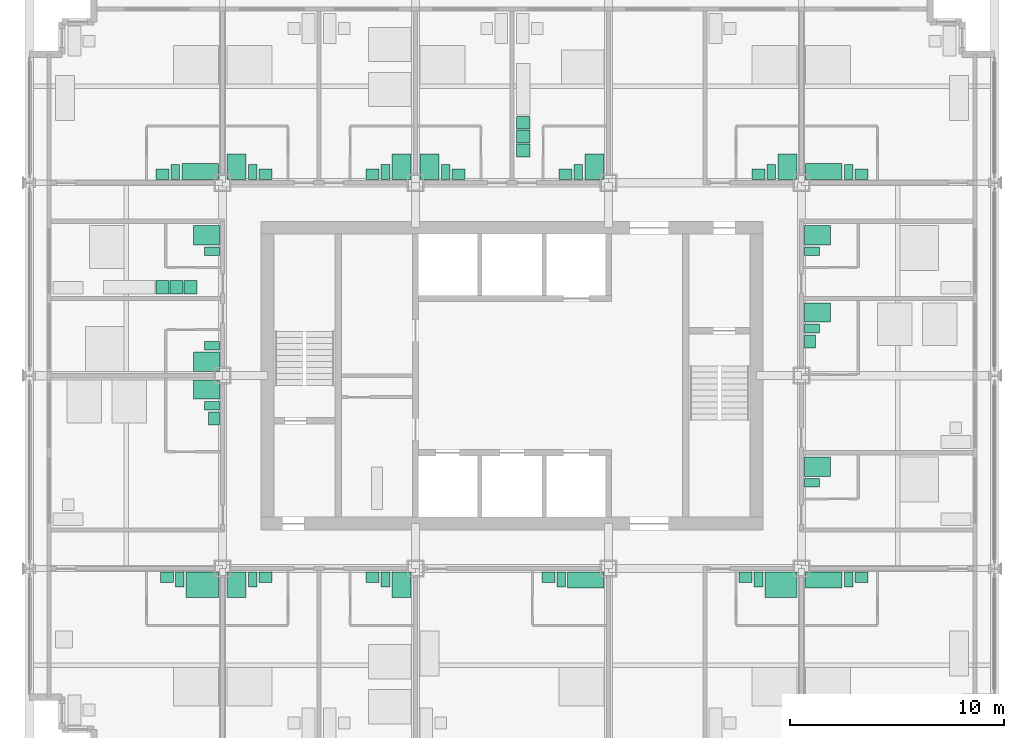
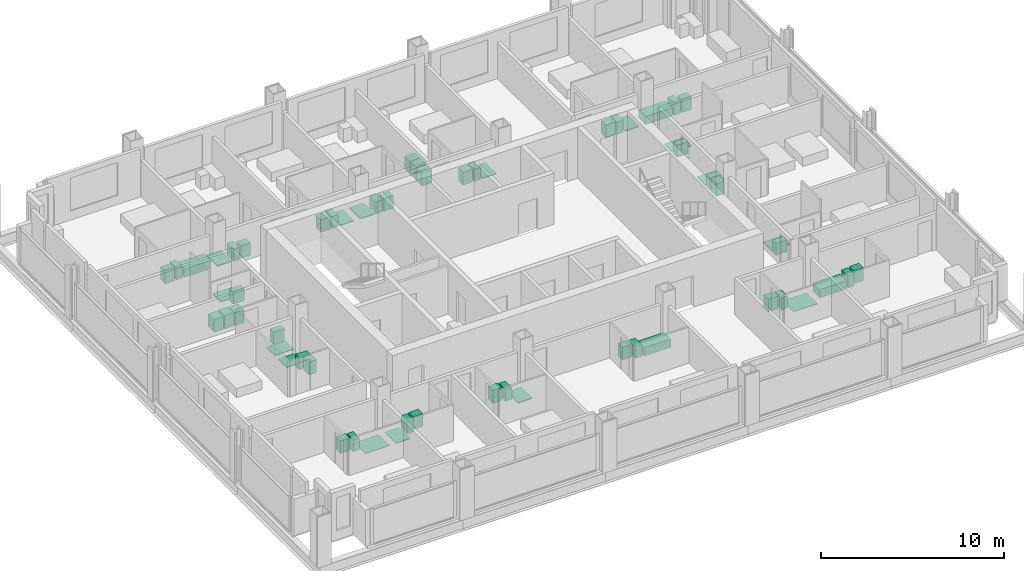
# One storey, part 16 of 17: 53 sanitary terminals, 6 electric appliances.
"""IFC4 building model written with IfcOpenShell, lengths in metres."""

import ifcopenshell
import ifcopenshell.guid

model = None  # the IFC model being written
_history = None  # IfcOwnerHistory: only IFC2X3 demands one
_inside = {}  # id of a spatial element -> (the spatial element, [elements in it])
_under = {}  # id of a project, library or spatial element -> (it, [spatial elements below it])
_declared = {}  # id of a project -> (the project, [libraries it declares])
_typed = {}  # id of a type object -> (the type object, [elements of that type])
_made_of = {}  # id of a material, layer set ... -> (it, [elements and type objects made of it])


def new_model(schema):
    """Start an empty IFC model of exactly this schema.

    Asked for "IFC4X3", IfcOpenShell would pick the latest addendum, in which some entities
    have other attributes; the version numbers below select the first issue.
    IFC2X3 requires an IfcOwnerHistory on every rooted entity: one is made here for all.
    """
    global model, _history
    if schema == "IFC4X3":
        model = ifcopenshell.file(schema_version=(4, 3, 0, 0))
    else:
        model = ifcopenshell.file(schema=schema)
    _inside.clear()
    _under.clear()
    _declared.clear()
    _typed.clear()
    _made_of.clear()
    _history = None
    if model.schema == "IFC2X3":
        org = make("IfcOrganization", Name="unknown")
        user = make(
            "IfcPersonAndOrganization",
            ThePerson=make("IfcPerson", FamilyName="unknown"),
            TheOrganization=org,
        )
        app = make(
            "IfcApplication",
            ApplicationDeveloper=org,
            Version="unknown",
            ApplicationFullName="unknown",
            ApplicationIdentifier="unknown",
        )
        _history = make(
            "IfcOwnerHistory",
            OwningUser=user,
            OwningApplication=app,
            ChangeAction="ADDED",
            CreationDate=0,
        )
    return model


def make(cls, **values):
    """One entity of the class cls with the attributes given. An attribute that is None is left unset."""
    return model.create_entity(
        cls, **{name: value for name, value in values.items() if value is not None}
    )


def rooted(cls, **values):
    """An entity with a GlobalId (a new one), such as an element, a storey or a relation."""
    return make(cls, GlobalId=ifcopenshell.guid.new(), OwnerHistory=_history, **values)


def si_unit(unit_type, name, prefix=None):
    """IfcSIUnit, for example si_unit("LENGTHUNIT", "METRE", prefix="MILLI")."""
    return make("IfcSIUnit", UnitType=unit_type, Prefix=prefix, Name=name)


def assignment(units):
    """IfcUnitAssignment: the units of a project."""
    return None if units is None else make("IfcUnitAssignment", Units=units)


def point(xyz):
    """IfcCartesianPoint."""
    return None if xyz is None else make("IfcCartesianPoint", Coordinates=xyz)


def direction(xyz):
    """IfcDirection."""
    return None if xyz is None else make("IfcDirection", DirectionRatios=xyz)


def frame(location, z_axis=None, x_axis=None):
    """IfcAxis2Placement3D, a coordinate frame: its origin and axes. An axis left out is left unset."""
    return make(
        "IfcAxis2Placement3D",
        Location=point(location),
        Axis=direction(z_axis),
        RefDirection=direction(x_axis),
    )


def frame_2d(location, x_axis=None):
    """IfcAxis2Placement2D, a coordinate frame in the plane: its origin and x axis."""
    return make(
        "IfcAxis2Placement2D", Location=point(location), RefDirection=direction(x_axis)
    )


def origin():
    """The frame at (0, 0, 0) with its axes left unset."""
    return frame((0.0, 0.0, 0.0))


def origin_2d():
    """The frame at (0, 0) in the plane with its x axis left unset."""
    return frame_2d((0.0, 0.0))


def place(relative_to, where):
    """IfcLocalPlacement: puts the frame where relative to a parent placement (None: the world)."""
    return make(
        "IfcLocalPlacement", PlacementRelTo=relative_to, RelativePlacement=where
    )


def context(
    kind, dimensions, precision=None, world=None, true_north=None, identifier=None
):
    """IfcGeometricRepresentationContext, for example the 3D "Model" context."""
    return make(
        "IfcGeometricRepresentationContext",
        ContextIdentifier=identifier,
        ContextType=kind,
        CoordinateSpaceDimension=dimensions,
        Precision=precision,
        WorldCoordinateSystem=world,
        TrueNorth=true_north,
    )


def subcontext(parent, identifier, kind, view, scale=None):
    """IfcGeometricRepresentationSubContext, for example "Body" below "Model"."""
    return make(
        "IfcGeometricRepresentationSubContext",
        ContextIdentifier=identifier,
        ContextType=kind,
        ParentContext=parent,
        TargetScale=scale,
        TargetView=view,
    )


def project(units=None, contexts=None):
    """IfcProject with its units and contexts."""
    return rooted(
        "IfcProject",
        Name="project",
        RepresentationContexts=contexts,
        UnitsInContext=assignment(units),
    )


def spatial(cls, under=None, at=None, **own):
    """A site, building, storey or space (cls), placed at a placement, below another one or the project."""
    s = rooted(cls, ObjectPlacement=at, **own)
    if under is not None:
        _under.setdefault(under.id(), (under, []))[1].append(s)
    return s


def profile(cls, at=None, kind="AREA", **sizes):
    """A parametric profile (cls). Its sizes go by their IFC names, for example OverallWidth=200.0."""
    return make(cls, ProfileType=kind, Position=at, **sizes)


def rectangle(**sizes):
    """IfcRectangleProfileDef."""
    return profile("IfcRectangleProfileDef", **sizes)


def extrude(swept, where, along, depth):
    """IfcExtrudedAreaSolid: the profile swept, set in the frame where, extruded along a direction by depth."""
    return make(
        "IfcExtrudedAreaSolid",
        SweptArea=swept,
        Position=where,
        ExtrudedDirection=direction(along),
        Depth=depth,
    )


def shape(context_of_items, identifier, shape_type, items):
    """IfcShapeRepresentation: the items that make up one representation, for example the "Body"."""
    return make(
        "IfcShapeRepresentation",
        ContextOfItems=context_of_items,
        RepresentationIdentifier=identifier,
        RepresentationType=shape_type,
        Items=items,
    )


def made_of(thing, what):
    """Note that an element or type object is made of a material, layer set ...; save() writes the relation."""
    if what is not None:
        _made_of.setdefault(what.id(), (what, []))[1].append(thing)
    return thing


def element(
    cls,
    number,
    at=None,
    inside=None,
    cuts=None,
    type_object=None,
    material=None,
    context=None,
    identifier="Body",
    shape_type=None,
    held_by="IfcProductDefinitionShape",
    body=None,
    shapes=None,
    **own,
):
    """One element of the class cls, such as IfcWall. Its Tag is "e" and its number.

    at: its placement. inside: the storey or other place that contains it. cuts: it is an
    opening in that element (IfcRelVoidsElement). A single representation is given by context,
    identifier, shape_type and body (its items); several are given by shapes. held_by: the class
    of the entity that holds the representations. save() writes the other relations.
    """
    e = rooted(cls, Tag="e%d" % number, ObjectPlacement=at, **own)
    if body is not None:
        shapes = [shape(context, identifier, shape_type, body)]
    if shapes is not None:
        e.Representation = make(held_by, Representations=shapes)
    if inside is not None:
        _inside.setdefault(inside.id(), (inside, []))[1].append(e)
    if cuts is not None:
        rooted(
            "IfcRelVoidsElement", RelatingBuildingElement=cuts, RelatedOpeningElement=e
        )
    if type_object is not None:
        _typed.setdefault(type_object.id(), (type_object, []))[1].append(e)
    return made_of(e, material)


def aggregate(whole, parts):
    """IfcRelAggregates: a whole, such as a stair, and the parts it consists of."""
    return rooted("IfcRelAggregates", RelatingObject=whole, RelatedObjects=parts)


def save(model, path):
    """Write the relations noted so far, then the file.

    IfcRelAggregates (storeys below a building ...), IfcRelContainedInSpatialStructure (elements
    in a storey), IfcRelDefinesByType, IfcRelAssociatesMaterial and IfcRelDeclares: one each for
    every whole, place, type object, material and project.
    """
    for whole, parts in _under.values():
        aggregate(whole, parts)
    for where, things in _inside.values():
        rooted(
            "IfcRelContainedInSpatialStructure",
            RelatedElements=things,
            RelatingStructure=where,
        )
    for kind, things in _typed.values():
        rooted("IfcRelDefinesByType", RelatedObjects=things, RelatingType=kind)
    for what, things in _made_of.values():
        rooted("IfcRelAssociatesMaterial", RelatedObjects=things, RelatingMaterial=what)
    for by, libraries in _declared.values():
        rooted("IfcRelDeclares", RelatingContext=by, RelatedDefinitions=libraries)
    model.write(path)


model = new_model("IFC4")

# Units and contexts
model_context = context("Model", 3, precision=1e-05, world=origin(), true_north=direction((0.0, 1.0)))
body_context = subcontext(model_context, "Body", "Model", "MODEL_VIEW")
ifc_project = project(units=[si_unit("LENGTHUNIT", "METRE"), si_unit("AREAUNIT", "SQUARE_METRE"), si_unit("VOLUMEUNIT", "CUBIC_METRE"), si_unit("PLANEANGLEUNIT", "RADIAN"), si_unit("MASSUNIT", "GRAM", prefix="KILO")], contexts=[model_context])

# Site, building, storey
site_placement = place(None, origin())
site = spatial("IfcSite", under=ifc_project, at=site_placement, CompositionType="ELEMENT")
building_placement = place(site_placement, origin())
building = spatial("IfcBuilding", under=site, at=building_placement, Name="Loomwork Tower", CompositionType="ELEMENT")
storey_placement = place(building_placement, frame((0.0, 0.0, 141.800048828125)))
storey = spatial("IfcBuildingStorey", under=building, at=storey_placement, Name="L38", CompositionType="ELEMENT", Elevation=141.800048828125)

# Sanitary terminals
sanitary_terminal_1_placement = place(storey_placement, frame((8.050048828125, 8.25, 0.0), z_axis=(0.0, 0.0, 1.0), x_axis=(1.0, 0.0, 0.0)))
element("IfcSanitaryTerminal", 1, at=sanitary_terminal_1_placement, inside=storey, Name="Roll-in shower floor L38", PredefinedType="SHOWER", context=body_context, shape_type="SweptSolid", body=[
    extrude(rectangle(XDim=1.5, YDim=1.199951171875, at=origin_2d()), origin(), (0.0, 0.0, 1.0), 0.030029296875),
])
sanitary_terminal_2_placement = place(storey_placement, frame((7.0, 8.5, 0.0), z_axis=(0.0, 0.0, 1.0), x_axis=(1.0, 0.0, 0.0)))
element("IfcSanitaryTerminal", 2, at=sanitary_terminal_2_placement, inside=storey, Name="WC L38", PredefinedType="TOILETPAN", context=body_context, shape_type="SweptSolid", body=[
    extrude(rectangle(XDim=0.39990234375, YDim=0.699951171875, at=origin_2d()), origin(), (0.0, 0.0, 1.0), 0.800048828125),
])
sanitary_terminal_3_placement = place(storey_placement, frame((6.39990234375, 8.60009765625, 0.0), z_axis=(0.0, 0.0, 1.0), x_axis=(1.0, 0.0, 0.0)))
element("IfcSanitaryTerminal", 3, at=sanitary_terminal_3_placement, inside=storey, Name="Basin vanity L38", PredefinedType="WASHHANDBASIN", context=body_context, shape_type="SweptSolid", body=[
    extrude(rectangle(XDim=0.60009765625, YDim=0.5, at=origin_2d()), origin(), (0.0, 0.0, 1.0), 0.85009765625),
])
sanitary_terminal_4_placement = place(storey_placement, frame((9.64990234375, 8.25, 0.0), z_axis=(0.0, 0.0, 1.0), x_axis=(1.0, 0.0, 0.0)))
element("IfcSanitaryTerminal", 4, at=sanitary_terminal_4_placement, inside=storey, Name="Shower tray L38", PredefinedType="SHOWER", context=body_context, shape_type="SweptSolid", body=[
    extrude(rectangle(XDim=0.89990234375, YDim=1.199951171875, at=origin_2d()), origin(), (0.0, 0.0, 1.0), 0.050048828125),
])
sanitary_terminal_5_placement = place(storey_placement, frame((10.39990234375, 8.5, 0.0), z_axis=(0.0, 0.0, 1.0), x_axis=(1.0, 0.0, 0.0)))
element("IfcSanitaryTerminal", 5, at=sanitary_terminal_5_placement, inside=storey, Name="WC L38", PredefinedType="TOILETPAN", context=body_context, shape_type="SweptSolid", body=[
    extrude(rectangle(XDim=0.39990234375, YDim=0.699951171875, at=origin_2d()), origin(), (0.0, 0.0, 1.0), 0.800048828125),
])
sanitary_terminal_6_placement = place(storey_placement, frame((11.0, 8.60009765625, 0.0), z_axis=(0.0, 0.0, 1.0), x_axis=(1.0, 0.0, 0.0)))
element("IfcSanitaryTerminal", 6, at=sanitary_terminal_6_placement, inside=storey, Name="Basin vanity L38", PredefinedType="WASHHANDBASIN", context=body_context, shape_type="SweptSolid", body=[
    extrude(rectangle(XDim=0.60009765625, YDim=0.5, at=origin_2d()), origin(), (0.0, 0.0, 1.0), 0.85009765625),
])
sanitary_terminal_7_placement = place(storey_placement, frame((17.35009765625, 8.25, 0.0), z_axis=(0.0, 0.0, 1.0), x_axis=(1.0, 0.0, 0.0)))
element("IfcSanitaryTerminal", 7, at=sanitary_terminal_7_placement, inside=storey, Name="Shower tray L38", PredefinedType="SHOWER", context=body_context, shape_type="SweptSolid", body=[
    extrude(rectangle(XDim=0.89990234375, YDim=1.199951171875, at=origin_2d()), origin(), (0.0, 0.0, 1.0), 0.050048828125),
])
sanitary_terminal_8_placement = place(storey_placement, frame((16.60009765625, 8.5, 0.0), z_axis=(0.0, 0.0, 1.0), x_axis=(1.0, 0.0, 0.0)))
element("IfcSanitaryTerminal", 8, at=sanitary_terminal_8_placement, inside=storey, Name="WC L38", PredefinedType="TOILETPAN", context=body_context, shape_type="SweptSolid", body=[
    extrude(rectangle(XDim=0.39990234375, YDim=0.699951171875, at=origin_2d()), origin(), (0.0, 0.0, 1.0), 0.800048828125),
])
sanitary_terminal_9_placement = place(storey_placement, frame((16.0, 8.60009765625, 0.0), z_axis=(0.0, 0.0, 1.0), x_axis=(1.0, 0.0, 0.0)))
element("IfcSanitaryTerminal", 9, at=sanitary_terminal_9_placement, inside=storey, Name="Basin vanity L38", PredefinedType="WASHHANDBASIN", context=body_context, shape_type="SweptSolid", body=[
    extrude(rectangle(XDim=0.60009765625, YDim=0.5, at=origin_2d()), origin(), (0.0, 0.0, 1.0), 0.85009765625),
])
sanitary_terminal_10_placement = place(storey_placement, frame((25.949951171875, 8.47509765625, 0.0), z_axis=(0.0, 0.0, 1.0), x_axis=(1.0, 0.0, 0.0)))
element("IfcSanitaryTerminal", 10, at=sanitary_terminal_10_placement, inside=storey, Name="Bath L38", PredefinedType="BATH", context=body_context, shape_type="SweptSolid", body=[
    extrude(rectangle(XDim=1.699951171875, YDim=0.75, at=origin_2d()), origin(), (0.0, 0.0, 1.0), 0.550048828125),
])
sanitary_terminal_11_placement = place(storey_placement, frame((24.800048828125, 8.5, 0.0), z_axis=(0.0, 0.0, 1.0), x_axis=(1.0, 0.0, 0.0)))
element("IfcSanitaryTerminal", 11, at=sanitary_terminal_11_placement, inside=storey, Name="WC L38", PredefinedType="TOILETPAN", context=body_context, shape_type="SweptSolid", body=[
    extrude(rectangle(XDim=0.39990234375, YDim=0.699951171875, at=origin_2d()), origin(), (0.0, 0.0, 1.0), 0.800048828125),
])
sanitary_terminal_12_placement = place(storey_placement, frame((24.199951171875, 8.60009765625, 0.0), z_axis=(0.0, 0.0, 1.0), x_axis=(1.0, 0.0, 0.0)))
element("IfcSanitaryTerminal", 12, at=sanitary_terminal_12_placement, inside=storey, Name="Basin vanity L38", PredefinedType="WASHHANDBASIN", context=body_context, shape_type="SweptSolid", body=[
    extrude(rectangle(XDim=0.60009765625, YDim=0.5, at=origin_2d()), origin(), (0.0, 0.0, 1.0), 0.85009765625),
])
sanitary_terminal_13_placement = place(storey_placement, frame((35.050048828125, 8.25, 0.0), z_axis=(0.0, 0.0, 1.0), x_axis=(1.0, 0.0, 0.0)))
element("IfcSanitaryTerminal", 13, at=sanitary_terminal_13_placement, inside=storey, Name="Roll-in shower floor L38", PredefinedType="SHOWER", context=body_context, shape_type="SweptSolid", body=[
    extrude(rectangle(XDim=1.5, YDim=1.199951171875, at=origin_2d()), origin(), (0.0, 0.0, 1.0), 0.030029296875),
])
sanitary_terminal_14_placement = place(storey_placement, frame((34.0, 8.5, 0.0), z_axis=(0.0, 0.0, 1.0), x_axis=(1.0, 0.0, 0.0)))
element("IfcSanitaryTerminal", 14, at=sanitary_terminal_14_placement, inside=storey, Name="WC L38", PredefinedType="TOILETPAN", context=body_context, shape_type="SweptSolid", body=[
    extrude(rectangle(XDim=0.39990234375, YDim=0.699951171875, at=origin_2d()), origin(), (0.0, 0.0, 1.0), 0.800048828125),
])
sanitary_terminal_15_placement = place(storey_placement, frame((33.39990234375, 8.60009765625, 0.0), z_axis=(0.0, 0.0, 1.0), x_axis=(1.0, 0.0, 0.0)))
element("IfcSanitaryTerminal", 15, at=sanitary_terminal_15_placement, inside=storey, Name="Basin vanity L38", PredefinedType="WASHHANDBASIN", context=body_context, shape_type="SweptSolid", body=[
    extrude(rectangle(XDim=0.60009765625, YDim=0.5, at=origin_2d()), origin(), (0.0, 0.0, 1.0), 0.85009765625),
])
sanitary_terminal_16_placement = place(storey_placement, frame((37.050048828125, 8.47509765625, 0.0), z_axis=(0.0, 0.0, 1.0), x_axis=(1.0, 0.0, 0.0)))
element("IfcSanitaryTerminal", 16, at=sanitary_terminal_16_placement, inside=storey, Name="Bath L38", PredefinedType="BATH", context=body_context, shape_type="SweptSolid", body=[
    extrude(rectangle(XDim=1.699951171875, YDim=0.75, at=origin_2d()), origin(), (0.0, 0.0, 1.0), 0.550048828125),
])
sanitary_terminal_17_placement = place(storey_placement, frame((38.199951171875, 8.5, 0.0), z_axis=(0.0, 0.0, 1.0), x_axis=(1.0, 0.0, 0.0)))
element("IfcSanitaryTerminal", 17, at=sanitary_terminal_17_placement, inside=storey, Name="WC L38", PredefinedType="TOILETPAN", context=body_context, shape_type="SweptSolid", body=[
    extrude(rectangle(XDim=0.39990234375, YDim=0.699951171875, at=origin_2d()), origin(), (0.0, 0.0, 1.0), 0.800048828125),
])
sanitary_terminal_18_placement = place(storey_placement, frame((38.800048828125, 8.60009765625, 0.0), z_axis=(0.0, 0.0, 1.0), x_axis=(1.0, 0.0, 0.0)))
element("IfcSanitaryTerminal", 18, at=sanitary_terminal_18_placement, inside=storey, Name="Basin vanity L38", PredefinedType="WASHHANDBASIN", context=body_context, shape_type="SweptSolid", body=[
    extrude(rectangle(XDim=0.60009765625, YDim=0.5, at=origin_2d()), origin(), (0.0, 0.0, 1.0), 0.85009765625),
])
sanitary_terminal_19_placement = place(storey_placement, frame((7.949951171875, 27.52490234375, 0.0), z_axis=(0.0, 0.0, 1.0), x_axis=(1.0, 0.0, 0.0)))
element("IfcSanitaryTerminal", 19, at=sanitary_terminal_19_placement, inside=storey, Name="Bath L38", PredefinedType="BATH", context=body_context, shape_type="SweptSolid", body=[
    extrude(rectangle(XDim=1.699951171875, YDim=0.75, at=origin_2d()), origin(), (0.0, 0.0, 1.0), 0.550048828125),
])
sanitary_terminal_20_placement = place(storey_placement, frame((6.800048828125, 27.5, 0.0), z_axis=(0.0, 0.0, 1.0), x_axis=(1.0, 0.0, 0.0)))
element("IfcSanitaryTerminal", 20, at=sanitary_terminal_20_placement, inside=storey, Name="WC L38", PredefinedType="TOILETPAN", context=body_context, shape_type="SweptSolid", body=[
    extrude(rectangle(XDim=0.39990234375, YDim=0.699951171875, at=origin_2d()), origin(), (0.0, 0.0, 1.0), 0.800048828125),
])
sanitary_terminal_21_placement = place(storey_placement, frame((6.199951171875, 27.39990234375, 0.0), z_axis=(0.0, 0.0, 1.0), x_axis=(1.0, 0.0, 0.0)))
element("IfcSanitaryTerminal", 21, at=sanitary_terminal_21_placement, inside=storey, Name="Basin vanity L38", PredefinedType="WASHHANDBASIN", context=body_context, shape_type="SweptSolid", body=[
    extrude(rectangle(XDim=0.60009765625, YDim=0.5, at=origin_2d()), origin(), (0.0, 0.0, 1.0), 0.85009765625),
])
sanitary_terminal_22_placement = place(storey_placement, frame((9.64990234375, 27.75, 0.0), z_axis=(0.0, 0.0, 1.0), x_axis=(1.0, 0.0, 0.0)))
element("IfcSanitaryTerminal", 22, at=sanitary_terminal_22_placement, inside=storey, Name="Shower tray L38", PredefinedType="SHOWER", context=body_context, shape_type="SweptSolid", body=[
    extrude(rectangle(XDim=0.89990234375, YDim=1.199951171875, at=origin_2d()), origin(), (0.0, 0.0, 1.0), 0.050048828125),
])
sanitary_terminal_23_placement = place(storey_placement, frame((10.39990234375, 27.5, 0.0), z_axis=(0.0, 0.0, 1.0), x_axis=(1.0, 0.0, 0.0)))
element("IfcSanitaryTerminal", 23, at=sanitary_terminal_23_placement, inside=storey, Name="WC L38", PredefinedType="TOILETPAN", context=body_context, shape_type="SweptSolid", body=[
    extrude(rectangle(XDim=0.39990234375, YDim=0.699951171875, at=origin_2d()), origin(), (0.0, 0.0, 1.0), 0.800048828125),
])
sanitary_terminal_24_placement = place(storey_placement, frame((11.0, 27.39990234375, 0.0), z_axis=(0.0, 0.0, 1.0), x_axis=(1.0, 0.0, 0.0)))
element("IfcSanitaryTerminal", 24, at=sanitary_terminal_24_placement, inside=storey, Name="Basin vanity L38", PredefinedType="WASHHANDBASIN", context=body_context, shape_type="SweptSolid", body=[
    extrude(rectangle(XDim=0.60009765625, YDim=0.5, at=origin_2d()), origin(), (0.0, 0.0, 1.0), 0.85009765625),
])
sanitary_terminal_25_placement = place(storey_placement, frame((17.35009765625, 27.75, 0.0), z_axis=(0.0, 0.0, 1.0), x_axis=(1.0, 0.0, 0.0)))
element("IfcSanitaryTerminal", 25, at=sanitary_terminal_25_placement, inside=storey, Name="Shower tray L38", PredefinedType="SHOWER", context=body_context, shape_type="SweptSolid", body=[
    extrude(rectangle(XDim=0.89990234375, YDim=1.199951171875, at=origin_2d()), origin(), (0.0, 0.0, 1.0), 0.050048828125),
])
sanitary_terminal_26_placement = place(storey_placement, frame((16.60009765625, 27.5, 0.0), z_axis=(0.0, 0.0, 1.0), x_axis=(1.0, 0.0, 0.0)))
element("IfcSanitaryTerminal", 26, at=sanitary_terminal_26_placement, inside=storey, Name="WC L38", PredefinedType="TOILETPAN", context=body_context, shape_type="SweptSolid", body=[
    extrude(rectangle(XDim=0.39990234375, YDim=0.699951171875, at=origin_2d()), origin(), (0.0, 0.0, 1.0), 0.800048828125),
])
sanitary_terminal_27_placement = place(storey_placement, frame((16.0, 27.39990234375, 0.0), z_axis=(0.0, 0.0, 1.0), x_axis=(1.0, 0.0, 0.0)))
element("IfcSanitaryTerminal", 27, at=sanitary_terminal_27_placement, inside=storey, Name="Basin vanity L38", PredefinedType="WASHHANDBASIN", context=body_context, shape_type="SweptSolid", body=[
    extrude(rectangle(XDim=0.60009765625, YDim=0.5, at=origin_2d()), origin(), (0.0, 0.0, 1.0), 0.85009765625),
])
sanitary_terminal_28_placement = place(storey_placement, frame((18.64990234375, 27.75, 0.0), z_axis=(0.0, 0.0, 1.0), x_axis=(1.0, 0.0, 0.0)))
element("IfcSanitaryTerminal", 28, at=sanitary_terminal_28_placement, inside=storey, Name="Shower tray L38", PredefinedType="SHOWER", context=body_context, shape_type="SweptSolid", body=[
    extrude(rectangle(XDim=0.89990234375, YDim=1.199951171875, at=origin_2d()), origin(), (0.0, 0.0, 1.0), 0.050048828125),
])
sanitary_terminal_29_placement = place(storey_placement, frame((19.39990234375, 27.5, 0.0), z_axis=(0.0, 0.0, 1.0), x_axis=(1.0, 0.0, 0.0)))
element("IfcSanitaryTerminal", 29, at=sanitary_terminal_29_placement, inside=storey, Name="WC L38", PredefinedType="TOILETPAN", context=body_context, shape_type="SweptSolid", body=[
    extrude(rectangle(XDim=0.39990234375, YDim=0.699951171875, at=origin_2d()), origin(), (0.0, 0.0, 1.0), 0.800048828125),
])
sanitary_terminal_30_placement = place(storey_placement, frame((20.0, 27.39990234375, 0.0), z_axis=(0.0, 0.0, 1.0), x_axis=(1.0, 0.0, 0.0)))
element("IfcSanitaryTerminal", 30, at=sanitary_terminal_30_placement, inside=storey, Name="Basin vanity L38", PredefinedType="WASHHANDBASIN", context=body_context, shape_type="SweptSolid", body=[
    extrude(rectangle(XDim=0.60009765625, YDim=0.5, at=origin_2d()), origin(), (0.0, 0.0, 1.0), 0.85009765625),
])
sanitary_terminal_31_placement = place(storey_placement, frame((26.35009765625, 27.75, 0.0), z_axis=(0.0, 0.0, 1.0), x_axis=(1.0, 0.0, 0.0)))
element("IfcSanitaryTerminal", 31, at=sanitary_terminal_31_placement, inside=storey, Name="Shower tray L38", PredefinedType="SHOWER", context=body_context, shape_type="SweptSolid", body=[
    extrude(rectangle(XDim=0.89990234375, YDim=1.199951171875, at=origin_2d()), origin(), (0.0, 0.0, 1.0), 0.050048828125),
])
sanitary_terminal_32_placement = place(storey_placement, frame((25.60009765625, 27.5, 0.0), z_axis=(0.0, 0.0, 1.0), x_axis=(1.0, 0.0, 0.0)))
element("IfcSanitaryTerminal", 32, at=sanitary_terminal_32_placement, inside=storey, Name="WC L38", PredefinedType="TOILETPAN", context=body_context, shape_type="SweptSolid", body=[
    extrude(rectangle(XDim=0.39990234375, YDim=0.699951171875, at=origin_2d()), origin(), (0.0, 0.0, 1.0), 0.800048828125),
])
sanitary_terminal_33_placement = place(storey_placement, frame((25.0, 27.39990234375, 0.0), z_axis=(0.0, 0.0, 1.0), x_axis=(1.0, 0.0, 0.0)))
element("IfcSanitaryTerminal", 33, at=sanitary_terminal_33_placement, inside=storey, Name="Basin vanity L38", PredefinedType="WASHHANDBASIN", context=body_context, shape_type="SweptSolid", body=[
    extrude(rectangle(XDim=0.60009765625, YDim=0.5, at=origin_2d()), origin(), (0.0, 0.0, 1.0), 0.85009765625),
])

# Electric appliances
electric_appliance_1_placement = place(storey_placement, frame((23.02490234375, 28.5, 0.0), z_axis=(0.0, 0.0, 1.0), x_axis=(1.0, 0.0, 0.0)))
element("IfcElectricAppliance", 34, at=electric_appliance_1_placement, inside=storey, Name="Refrigerator L38", PredefinedType="REFRIGERATOR", context=body_context, shape_type="SweptSolid", body=[
    extrude(rectangle(XDim=0.64990234375, YDim=0.60009765625, at=origin_2d()), origin(), (0.0, 0.0, 1.0), 0.85009765625),
])
electric_appliance_2_placement = place(storey_placement, frame((23.02490234375, 29.14990234375, 0.0), z_axis=(0.0, 0.0, 1.0), x_axis=(1.0, 0.0, 0.0)))
element("IfcElectricAppliance", 35, at=electric_appliance_2_placement, inside=storey, Name="Two-ring cooktop and oven L38", PredefinedType="ELECTRICCOOKER", context=body_context, shape_type="SweptSolid", body=[
    extrude(rectangle(XDim=0.64990234375, YDim=0.60009765625, at=origin_2d()), origin(), (0.0, 0.0, 1.0), 0.89990234375),
])
electric_appliance_3_placement = place(storey_placement, frame((23.02490234375, 29.800048828125, 0.0), z_axis=(0.0, 0.0, 1.0), x_axis=(1.0, 0.0, 0.0)))
element("IfcElectricAppliance", 36, at=electric_appliance_3_placement, inside=storey, Name="Dishwasher L38", PredefinedType="DISHWASHER", context=body_context, shape_type="SweptSolid", body=[
    extrude(rectangle(XDim=0.64990234375, YDim=0.60009765625, at=origin_2d()), origin(), (0.0, 0.0, 1.0), 0.85009765625),
])

# Sanitary terminals
sanitary_terminal_34_placement = place(storey_placement, frame((35.35009765625, 27.75, 0.0), z_axis=(0.0, 0.0, 1.0), x_axis=(1.0, 0.0, 0.0)))
element("IfcSanitaryTerminal", 37, at=sanitary_terminal_34_placement, inside=storey, Name="Shower tray L38", PredefinedType="SHOWER", context=body_context, shape_type="SweptSolid", body=[
    extrude(rectangle(XDim=0.89990234375, YDim=1.199951171875, at=origin_2d()), origin(), (0.0, 0.0, 1.0), 0.050048828125),
])
sanitary_terminal_35_placement = place(storey_placement, frame((34.60009765625, 27.5, 0.0), z_axis=(0.0, 0.0, 1.0), x_axis=(1.0, 0.0, 0.0)))
element("IfcSanitaryTerminal", 38, at=sanitary_terminal_35_placement, inside=storey, Name="WC L38", PredefinedType="TOILETPAN", context=body_context, shape_type="SweptSolid", body=[
    extrude(rectangle(XDim=0.39990234375, YDim=0.699951171875, at=origin_2d()), origin(), (0.0, 0.0, 1.0), 0.800048828125),
])
sanitary_terminal_36_placement = place(storey_placement, frame((34.0, 27.39990234375, 0.0), z_axis=(0.0, 0.0, 1.0), x_axis=(1.0, 0.0, 0.0)))
element("IfcSanitaryTerminal", 39, at=sanitary_terminal_36_placement, inside=storey, Name="Basin vanity L38", PredefinedType="WASHHANDBASIN", context=body_context, shape_type="SweptSolid", body=[
    extrude(rectangle(XDim=0.60009765625, YDim=0.5, at=origin_2d()), origin(), (0.0, 0.0, 1.0), 0.85009765625),
])
sanitary_terminal_37_placement = place(storey_placement, frame((37.050048828125, 27.52490234375, 0.0), z_axis=(0.0, 0.0, 1.0), x_axis=(1.0, 0.0, 0.0)))
element("IfcSanitaryTerminal", 40, at=sanitary_terminal_37_placement, inside=storey, Name="Bath L38", PredefinedType="BATH", context=body_context, shape_type="SweptSolid", body=[
    extrude(rectangle(XDim=1.699951171875, YDim=0.75, at=origin_2d()), origin(), (0.0, 0.0, 1.0), 0.550048828125),
])
sanitary_terminal_38_placement = place(storey_placement, frame((38.199951171875, 27.5, 0.0), z_axis=(0.0, 0.0, 1.0), x_axis=(1.0, 0.0, 0.0)))
element("IfcSanitaryTerminal", 41, at=sanitary_terminal_38_placement, inside=storey, Name="WC L38", PredefinedType="TOILETPAN", context=body_context, shape_type="SweptSolid", body=[
    extrude(rectangle(XDim=0.39990234375, YDim=0.699951171875, at=origin_2d()), origin(), (0.0, 0.0, 1.0), 0.800048828125),
])
sanitary_terminal_39_placement = place(storey_placement, frame((38.800048828125, 27.39990234375, 0.0), z_axis=(0.0, 0.0, 1.0), x_axis=(1.0, 0.0, 0.0)))
element("IfcSanitaryTerminal", 42, at=sanitary_terminal_39_placement, inside=storey, Name="Basin vanity L38", PredefinedType="WASHHANDBASIN", context=body_context, shape_type="SweptSolid", body=[
    extrude(rectangle(XDim=0.60009765625, YDim=0.5, at=origin_2d()), origin(), (0.0, 0.0, 1.0), 0.85009765625),
])
sanitary_terminal_40_placement = place(storey_placement, frame((8.25, 17.35009765625, 0.0), z_axis=(0.0, 0.0, 1.0), x_axis=(1.0, 0.0, 0.0)))
element("IfcSanitaryTerminal", 43, at=sanitary_terminal_40_placement, inside=storey, Name="Shower tray L38", PredefinedType="SHOWER", context=body_context, shape_type="SweptSolid", body=[
    extrude(rectangle(XDim=1.199951171875, YDim=0.89990234375, at=origin_2d()), origin(), (0.0, 0.0, 1.0), 0.050048828125),
])
sanitary_terminal_41_placement = place(storey_placement, frame((8.5, 16.60009765625, 0.0), z_axis=(0.0, 0.0, 1.0), x_axis=(1.0, 0.0, 0.0)))
element("IfcSanitaryTerminal", 44, at=sanitary_terminal_41_placement, inside=storey, Name="WC L38", PredefinedType="TOILETPAN", context=body_context, shape_type="SweptSolid", body=[
    extrude(rectangle(XDim=0.699951171875, YDim=0.39990234375, at=origin_2d()), origin(), (0.0, 0.0, 1.0), 0.800048828125),
])
sanitary_terminal_42_placement = place(storey_placement, frame((8.60009765625, 16.0, 0.0), z_axis=(0.0, 0.0, 1.0), x_axis=(1.0, 0.0, 0.0)))
element("IfcSanitaryTerminal", 45, at=sanitary_terminal_42_placement, inside=storey, Name="Basin vanity L38", PredefinedType="WASHHANDBASIN", context=body_context, shape_type="SweptSolid", body=[
    extrude(rectangle(XDim=0.5, YDim=0.60009765625, at=origin_2d()), origin(), (0.0, 0.0, 1.0), 0.85009765625),
])
sanitary_terminal_43_placement = place(storey_placement, frame((8.25, 18.64990234375, 0.0), z_axis=(0.0, 0.0, 1.0), x_axis=(1.0, 0.0, 0.0)))
element("IfcSanitaryTerminal", 46, at=sanitary_terminal_43_placement, inside=storey, Name="Shower tray L38", PredefinedType="SHOWER", context=body_context, shape_type="SweptSolid", body=[
    extrude(rectangle(XDim=1.199951171875, YDim=0.89990234375, at=origin_2d()), origin(), (0.0, 0.0, 1.0), 0.050048828125),
])
sanitary_terminal_44_placement = place(storey_placement, frame((8.5, 19.39990234375, 0.0), z_axis=(0.0, 0.0, 1.0), x_axis=(1.0, 0.0, 0.0)))
element("IfcSanitaryTerminal", 47, at=sanitary_terminal_44_placement, inside=storey, Name="WC L38", PredefinedType="TOILETPAN", context=body_context, shape_type="SweptSolid", body=[
    extrude(rectangle(XDim=0.699951171875, YDim=0.39990234375, at=origin_2d()), origin(), (0.0, 0.0, 1.0), 0.800048828125),
])
sanitary_terminal_45_placement = place(storey_placement, frame((8.25, 24.550048828125, 0.0), z_axis=(0.0, 0.0, 1.0), x_axis=(1.0, 0.0, 0.0)))
element("IfcSanitaryTerminal", 48, at=sanitary_terminal_45_placement, inside=storey, Name="Shower tray L38", PredefinedType="SHOWER", context=body_context, shape_type="SweptSolid", body=[
    extrude(rectangle(XDim=1.199951171875, YDim=0.89990234375, at=origin_2d()), origin(), (0.0, 0.0, 1.0), 0.050048828125),
])
sanitary_terminal_46_placement = place(storey_placement, frame((8.5, 23.800048828125, 0.0), z_axis=(0.0, 0.0, 1.0), x_axis=(1.0, 0.0, 0.0)))
element("IfcSanitaryTerminal", 49, at=sanitary_terminal_46_placement, inside=storey, Name="WC L38", PredefinedType="TOILETPAN", context=body_context, shape_type="SweptSolid", body=[
    extrude(rectangle(XDim=0.699951171875, YDim=0.39990234375, at=origin_2d()), origin(), (0.0, 0.0, 1.0), 0.800048828125),
])

# Electric appliances
electric_appliance_4_placement = place(storey_placement, frame((7.5, 22.125, 0.0), z_axis=(0.0, 0.0, 1.0), x_axis=(1.0, 0.0, 0.0)))
element("IfcElectricAppliance", 50, at=electric_appliance_4_placement, inside=storey, Name="Refrigerator L38", PredefinedType="REFRIGERATOR", context=body_context, shape_type="SweptSolid", body=[
    extrude(rectangle(XDim=0.60009765625, YDim=0.64990234375, at=origin_2d()), origin(), (0.0, 0.0, 1.0), 0.85009765625),
])
electric_appliance_5_placement = place(storey_placement, frame((6.85009765625, 22.125, 0.0), z_axis=(0.0, 0.0, 1.0), x_axis=(1.0, 0.0, 0.0)))
element("IfcElectricAppliance", 51, at=electric_appliance_5_placement, inside=storey, Name="Two-ring cooktop and oven L38", PredefinedType="ELECTRICCOOKER", context=body_context, shape_type="SweptSolid", body=[
    extrude(rectangle(XDim=0.60009765625, YDim=0.64990234375, at=origin_2d()), origin(), (0.0, 0.0, 1.0), 0.89990234375),
])
electric_appliance_6_placement = place(storey_placement, frame((6.199951171875, 22.125, 0.0), z_axis=(0.0, 0.0, 1.0), x_axis=(1.0, 0.0, 0.0)))
element("IfcElectricAppliance", 52, at=electric_appliance_6_placement, inside=storey, Name="Dishwasher L38", PredefinedType="DISHWASHER", context=body_context, shape_type="SweptSolid", body=[
    extrude(rectangle(XDim=0.60009765625, YDim=0.64990234375, at=origin_2d()), origin(), (0.0, 0.0, 1.0), 0.85009765625),
])

# Sanitary terminals
sanitary_terminal_47_placement = place(storey_placement, frame((36.75, 13.75, 0.0), z_axis=(0.0, 0.0, 1.0), x_axis=(1.0, 0.0, 0.0)))
element("IfcSanitaryTerminal", 53, at=sanitary_terminal_47_placement, inside=storey, Name="Shower tray L38", PredefinedType="SHOWER", context=body_context, shape_type="SweptSolid", body=[
    extrude(rectangle(XDim=1.199951171875, YDim=0.89990234375, at=origin_2d()), origin(), (0.0, 0.0, 1.0), 0.050048828125),
])
sanitary_terminal_48_placement = place(storey_placement, frame((36.5, 13.0, 0.0), z_axis=(0.0, 0.0, 1.0), x_axis=(1.0, 0.0, 0.0)))
element("IfcSanitaryTerminal", 54, at=sanitary_terminal_48_placement, inside=storey, Name="WC L38", PredefinedType="TOILETPAN", context=body_context, shape_type="SweptSolid", body=[
    extrude(rectangle(XDim=0.699951171875, YDim=0.39990234375, at=origin_2d()), origin(), (0.0, 0.0, 1.0), 0.800048828125),
])
sanitary_terminal_49_placement = place(storey_placement, frame((36.75, 20.949951171875, 0.0), z_axis=(0.0, 0.0, 1.0), x_axis=(1.0, 0.0, 0.0)))
element("IfcSanitaryTerminal", 55, at=sanitary_terminal_49_placement, inside=storey, Name="Shower tray L38", PredefinedType="SHOWER", context=body_context, shape_type="SweptSolid", body=[
    extrude(rectangle(XDim=1.199951171875, YDim=0.89990234375, at=origin_2d()), origin(), (0.0, 0.0, 1.0), 0.050048828125),
])
sanitary_terminal_50_placement = place(storey_placement, frame((36.5, 20.199951171875, 0.0), z_axis=(0.0, 0.0, 1.0), x_axis=(1.0, 0.0, 0.0)))
element("IfcSanitaryTerminal", 56, at=sanitary_terminal_50_placement, inside=storey, Name="WC L38", PredefinedType="TOILETPAN", context=body_context, shape_type="SweptSolid", body=[
    extrude(rectangle(XDim=0.699951171875, YDim=0.39990234375, at=origin_2d()), origin(), (0.0, 0.0, 1.0), 0.800048828125),
])
sanitary_terminal_51_placement = place(storey_placement, frame((36.39990234375, 19.60009765625, 0.0), z_axis=(0.0, 0.0, 1.0), x_axis=(1.0, 0.0, 0.0)))
element("IfcSanitaryTerminal", 57, at=sanitary_terminal_51_placement, inside=storey, Name="Basin vanity L38", PredefinedType="WASHHANDBASIN", context=body_context, shape_type="SweptSolid", body=[
    extrude(rectangle(XDim=0.5, YDim=0.60009765625, at=origin_2d()), origin(), (0.0, 0.0, 1.0), 0.85009765625),
])
sanitary_terminal_52_placement = place(storey_placement, frame((36.75, 24.550048828125, 0.0), z_axis=(0.0, 0.0, 1.0), x_axis=(1.0, 0.0, 0.0)))
element("IfcSanitaryTerminal", 58, at=sanitary_terminal_52_placement, inside=storey, Name="Shower tray L38", PredefinedType="SHOWER", context=body_context, shape_type="SweptSolid", body=[
    extrude(rectangle(XDim=1.199951171875, YDim=0.89990234375, at=origin_2d()), origin(), (0.0, 0.0, 1.0), 0.050048828125),
])
sanitary_terminal_53_placement = place(storey_placement, frame((36.5, 23.800048828125, 0.0), z_axis=(0.0, 0.0, 1.0), x_axis=(1.0, 0.0, 0.0)))
element("IfcSanitaryTerminal", 59, at=sanitary_terminal_53_placement, inside=storey, Name="WC L38", PredefinedType="TOILETPAN", context=body_context, shape_type="SweptSolid", body=[
    extrude(rectangle(XDim=0.699951171875, YDim=0.39990234375, at=origin_2d()), origin(), (0.0, 0.0, 1.0), 0.800048828125),
])

save(model, "model.ifc")
